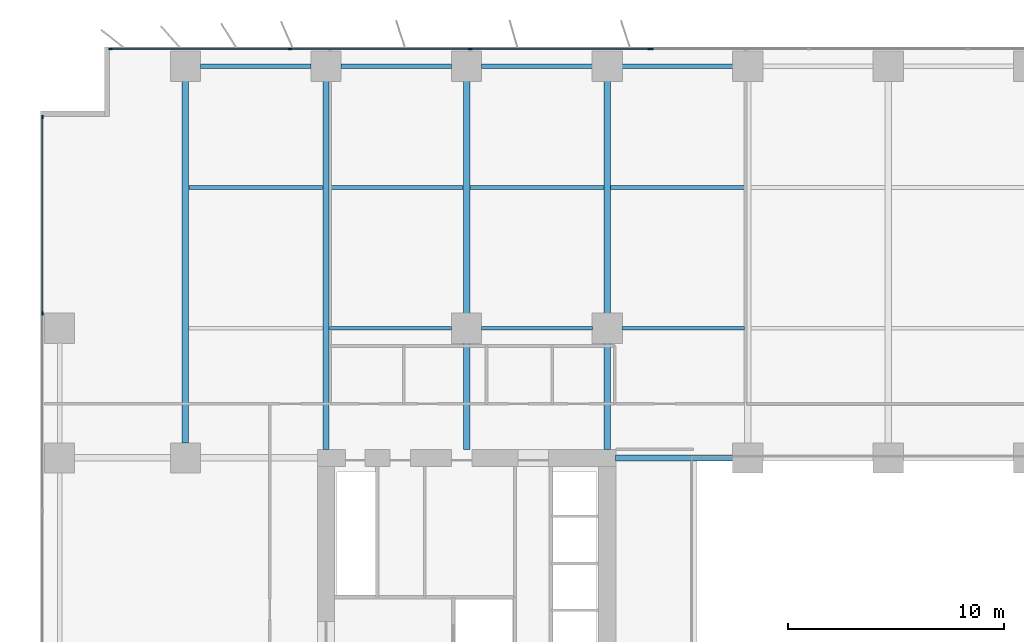
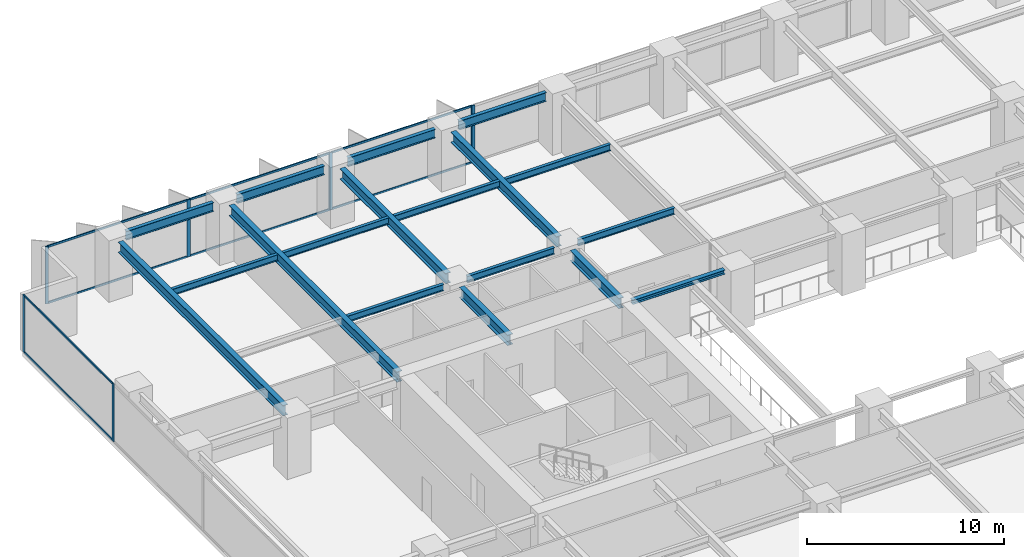
# One storey, part 7 of 20: 18 beams, 15 members, 3 elements without a shape of their own.
"""IFC4 building model written with IfcOpenShell, lengths in metres."""

import ifcopenshell
import ifcopenshell.guid

model = None  # the IFC model being written
_history = None  # IfcOwnerHistory: only IFC2X3 demands one
_inside = {}  # id of a spatial element -> (the spatial element, [elements in it])
_under = {}  # id of a project, library or spatial element -> (it, [spatial elements below it])
_declared = {}  # id of a project -> (the project, [libraries it declares])
_typed = {}  # id of a type object -> (the type object, [elements of that type])
_made_of = {}  # id of a material, layer set ... -> (it, [elements and type objects made of it])


def new_model(schema):
    """Start an empty IFC model of exactly this schema.

    Asked for "IFC4X3", IfcOpenShell would pick the latest addendum, in which some entities
    have other attributes; the version numbers below select the first issue.
    IFC2X3 requires an IfcOwnerHistory on every rooted entity: one is made here for all.
    """
    global model, _history
    if schema == "IFC4X3":
        model = ifcopenshell.file(schema_version=(4, 3, 0, 0))
    else:
        model = ifcopenshell.file(schema=schema)
    _inside.clear()
    _under.clear()
    _declared.clear()
    _typed.clear()
    _made_of.clear()
    _history = None
    if model.schema == "IFC2X3":
        org = make("IfcOrganization", Name="unknown")
        user = make(
            "IfcPersonAndOrganization",
            ThePerson=make("IfcPerson", FamilyName="unknown"),
            TheOrganization=org,
        )
        app = make(
            "IfcApplication",
            ApplicationDeveloper=org,
            Version="unknown",
            ApplicationFullName="unknown",
            ApplicationIdentifier="unknown",
        )
        _history = make(
            "IfcOwnerHistory",
            OwningUser=user,
            OwningApplication=app,
            ChangeAction="ADDED",
            CreationDate=0,
        )
    return model


def make(cls, **values):
    """One entity of the class cls with the attributes given. An attribute that is None is left unset."""
    return model.create_entity(
        cls, **{name: value for name, value in values.items() if value is not None}
    )


def rooted(cls, **values):
    """An entity with a GlobalId (a new one), such as an element, a storey or a relation."""
    return make(cls, GlobalId=ifcopenshell.guid.new(), OwnerHistory=_history, **values)


def si_unit(unit_type, name, prefix=None):
    """IfcSIUnit, for example si_unit("LENGTHUNIT", "METRE", prefix="MILLI")."""
    return make("IfcSIUnit", UnitType=unit_type, Prefix=prefix, Name=name)


def assignment(units):
    """IfcUnitAssignment: the units of a project."""
    return None if units is None else make("IfcUnitAssignment", Units=units)


def point(xyz):
    """IfcCartesianPoint."""
    return None if xyz is None else make("IfcCartesianPoint", Coordinates=xyz)


def direction(xyz):
    """IfcDirection."""
    return None if xyz is None else make("IfcDirection", DirectionRatios=xyz)


def frame(location, z_axis=None, x_axis=None):
    """IfcAxis2Placement3D, a coordinate frame: its origin and axes. An axis left out is left unset."""
    return make(
        "IfcAxis2Placement3D",
        Location=point(location),
        Axis=direction(z_axis),
        RefDirection=direction(x_axis),
    )


def frame_2d(location, x_axis=None):
    """IfcAxis2Placement2D, a coordinate frame in the plane: its origin and x axis."""
    return make(
        "IfcAxis2Placement2D", Location=point(location), RefDirection=direction(x_axis)
    )


def origin():
    """The frame at (0, 0, 0) with its axes left unset."""
    return frame((0.0, 0.0, 0.0))


def origin_2d():
    """The frame at (0, 0) in the plane with its x axis left unset."""
    return frame_2d((0.0, 0.0))


def place(relative_to, where):
    """IfcLocalPlacement: puts the frame where relative to a parent placement (None: the world)."""
    return make(
        "IfcLocalPlacement", PlacementRelTo=relative_to, RelativePlacement=where
    )


def context(
    kind, dimensions, precision=None, world=None, true_north=None, identifier=None
):
    """IfcGeometricRepresentationContext, for example the 3D "Model" context."""
    return make(
        "IfcGeometricRepresentationContext",
        ContextIdentifier=identifier,
        ContextType=kind,
        CoordinateSpaceDimension=dimensions,
        Precision=precision,
        WorldCoordinateSystem=world,
        TrueNorth=true_north,
    )


def subcontext(parent, identifier, kind, view, scale=None):
    """IfcGeometricRepresentationSubContext, for example "Body" below "Model"."""
    return make(
        "IfcGeometricRepresentationSubContext",
        ContextIdentifier=identifier,
        ContextType=kind,
        ParentContext=parent,
        TargetScale=scale,
        TargetView=view,
    )


def project(units=None, contexts=None):
    """IfcProject with its units and contexts."""
    return rooted(
        "IfcProject",
        Name="project",
        RepresentationContexts=contexts,
        UnitsInContext=assignment(units),
    )


def spatial(cls, under=None, at=None, **own):
    """A site, building, storey or space (cls), placed at a placement, below another one or the project."""
    s = rooted(cls, ObjectPlacement=at, **own)
    if under is not None:
        _under.setdefault(under.id(), (under, []))[1].append(s)
    return s


def profile(cls, at=None, kind="AREA", **sizes):
    """A parametric profile (cls). Its sizes go by their IFC names, for example OverallWidth=200.0."""
    return make(cls, ProfileType=kind, Position=at, **sizes)


def rectangle(**sizes):
    """IfcRectangleProfileDef."""
    return profile("IfcRectangleProfileDef", **sizes)


def i_section(**sizes):
    """IfcIShapeProfileDef."""
    return profile("IfcIShapeProfileDef", **sizes)


def extrude(swept, where, along, depth):
    """IfcExtrudedAreaSolid: the profile swept, set in the frame where, extruded along a direction by depth."""
    return make(
        "IfcExtrudedAreaSolid",
        SweptArea=swept,
        Position=where,
        ExtrudedDirection=direction(along),
        Depth=depth,
    )


def shape(context_of_items, identifier, shape_type, items):
    """IfcShapeRepresentation: the items that make up one representation, for example the "Body"."""
    return make(
        "IfcShapeRepresentation",
        ContextOfItems=context_of_items,
        RepresentationIdentifier=identifier,
        RepresentationType=shape_type,
        Items=items,
    )


def material(Name=None, Category=None):
    """IfcMaterial."""
    return make("IfcMaterial", Name=Name, Category=Category)


def layer(
    of_material, thickness, ventilated=None, Name=None, Category=None, Priority=None
):
    """IfcMaterialLayer: one layer of a wall or slab, of a material (None: an air gap)."""
    return make(
        "IfcMaterialLayer",
        Material=of_material,
        LayerThickness=thickness,
        IsVentilated=ventilated,
        Name=Name,
        Category=Category,
        Priority=Priority,
    )


def layer_set(layers, Name=None):
    """IfcMaterialLayerSet."""
    return make("IfcMaterialLayerSet", MaterialLayers=layers, LayerSetName=Name)


def material_profile(
    of_material, cross_section, Name=None, Category=None, Priority=None
):
    """IfcMaterialProfile: a cross section and its material."""
    return make(
        "IfcMaterialProfile",
        Name=Name,
        Material=of_material,
        Profile=cross_section,
        Priority=Priority,
        Category=Category,
    )


def profile_set(profiles, Name=None, composite=None):
    """IfcMaterialProfileSet."""
    return make(
        "IfcMaterialProfileSet",
        Name=Name,
        MaterialProfiles=profiles,
        CompositeProfile=composite,
    )


def made_of(thing, what):
    """Note that an element or type object is made of a material, layer set ...; save() writes the relation."""
    if what is not None:
        _made_of.setdefault(what.id(), (what, []))[1].append(thing)
    return thing


def type_object(cls, material=None, **own):
    """A type object (cls), such as IfcWallType, which elements share."""
    return made_of(rooted(cls, **own), material)


def element(
    cls,
    number,
    at=None,
    inside=None,
    cuts=None,
    type_object=None,
    material=None,
    context=None,
    identifier="Body",
    shape_type=None,
    held_by="IfcProductDefinitionShape",
    body=None,
    shapes=None,
    **own,
):
    """One element of the class cls, such as IfcWall. Its Tag is "e" and its number.

    at: its placement. inside: the storey or other place that contains it. cuts: it is an
    opening in that element (IfcRelVoidsElement). A single representation is given by context,
    identifier, shape_type and body (its items); several are given by shapes. held_by: the class
    of the entity that holds the representations. save() writes the other relations.
    """
    e = rooted(cls, Tag="e%d" % number, ObjectPlacement=at, **own)
    if body is not None:
        shapes = [shape(context, identifier, shape_type, body)]
    if shapes is not None:
        e.Representation = make(held_by, Representations=shapes)
    if inside is not None:
        _inside.setdefault(inside.id(), (inside, []))[1].append(e)
    if cuts is not None:
        rooted(
            "IfcRelVoidsElement", RelatingBuildingElement=cuts, RelatedOpeningElement=e
        )
    if type_object is not None:
        _typed.setdefault(type_object.id(), (type_object, []))[1].append(e)
    return made_of(e, material)


def aggregate(whole, parts):
    """IfcRelAggregates: a whole, such as a stair, and the parts it consists of."""
    return rooted("IfcRelAggregates", RelatingObject=whole, RelatedObjects=parts)


def save(model, path):
    """Write the relations noted so far, then the file.

    IfcRelAggregates (storeys below a building ...), IfcRelContainedInSpatialStructure (elements
    in a storey), IfcRelDefinesByType, IfcRelAssociatesMaterial and IfcRelDeclares: one each for
    every whole, place, type object, material and project.
    """
    for whole, parts in _under.values():
        aggregate(whole, parts)
    for where, things in _inside.values():
        rooted(
            "IfcRelContainedInSpatialStructure",
            RelatedElements=things,
            RelatingStructure=where,
        )
    for kind, things in _typed.values():
        rooted("IfcRelDefinesByType", RelatedObjects=things, RelatingType=kind)
    for what, things in _made_of.values():
        rooted("IfcRelAssociatesMaterial", RelatedObjects=things, RelatingMaterial=what)
    for by, libraries in _declared.values():
        rooted("IfcRelDeclares", RelatingContext=by, RelatedDefinitions=libraries)
    model.write(path)


model = new_model("IFC4")

# Units and contexts
model_context = context("Model", 3, precision=1e-05, world=origin(), true_north=direction((0.0, 1.0)))
body_context = subcontext(model_context, "Body", "Model", "MODEL_VIEW")
ifc_project = project(units=[si_unit("LENGTHUNIT", "METRE"), si_unit("AREAUNIT", "SQUARE_METRE"), si_unit("VOLUMEUNIT", "CUBIC_METRE"), si_unit("PLANEANGLEUNIT", "RADIAN"), si_unit("MASSUNIT", "GRAM", prefix="KILO")], contexts=[model_context])

# Site, building, storey
site_placement = place(None, origin())
site = spatial("IfcSite", under=ifc_project, at=site_placement, CompositionType="ELEMENT")
building_placement = place(site_placement, origin())
building = spatial("IfcBuilding", under=site, at=building_placement, Name="Putna Gate Headquarters", CompositionType="ELEMENT")
storey_placement = place(building_placement, frame((0.0, 0.0, 35.39990234375)))
storey = spatial("IfcBuildingStorey", under=building, at=storey_placement, Name="L07", CompositionType="ELEMENT", Elevation=35.39990234375)

# Beams
ifc_material_1 = material(Name="Steel S355J2", Category="steel")
ifc_material_profile_1 = material_profile(ifc_material_1, i_section(OverallWidth=0.260009765625, OverallDepth=0.260009765625, WebThickness=0.010009765625, FlangeThickness=0.017578125, at=origin_2d()), Name="Steel S355J2")
ifc_profile_set_1 = profile_set([ifc_material_profile_1], Name="Steel S355J2")
beam_type_1 = type_object("IfcBeamType", Name="BM-ATRIUM-HEB260", PredefinedType="BEAM", material=ifc_profile_set_1)
beam_1_placement = place(storey_placement, frame((26.385009765625, 33.0, 3.420166015625), z_axis=(1.0, 0.0, 0.0), x_axis=(0.0, 1.0, 0.0)))
element("IfcBeam", 1, at=beam_1_placement, inside=storey, type_object=beam_type_1, Name="L07 Atrium Edge Beam AN1", PredefinedType="BEAM", context=body_context, shape_type="SweptSolid", body=[
    extrude(i_section(OverallWidth=0.260009765625, OverallDepth=0.260009765625, WebThickness=0.010009765625, FlangeThickness=0.017578125, at=origin_2d()), origin(), (0.0, 0.0, 1.0), 5.427001953125),
])
ifc_material_profile_2 = material_profile(ifc_material_1, i_section(OverallWidth=0.300048828125, OverallDepth=0.64990234375, WebThickness=0.01611328125, FlangeThickness=0.031005859375, at=origin_2d()), Name="Steel S355J2")
ifc_profile_set_2 = profile_set([ifc_material_profile_2], Name="Steel S355J2")
beam_type_2 = type_object("IfcBeamType", Name="BM-GIRD-Z1-HEB650", PredefinedType="USERDEFINED", material=ifc_profile_set_2)
beam_2_placement = place(storey_placement, frame((6.5, 33.68798828125, 3.22509765625), z_axis=(0.0, 1.0, 0.0), x_axis=(-1.0, 0.0, 0.0)))
element("IfcBeam", 2, at=beam_2_placement, inside=storey, type_object=beam_type_2, Name="L07 North Primary Girder X6", ObjectType="GIRDER", PredefinedType="USERDEFINED", context=body_context, shape_type="SweptSolid", body=[
    extrude(i_section(OverallWidth=0.300048828125, OverallDepth=0.64990234375, WebThickness=0.01611328125, FlangeThickness=0.031005859375, at=origin_2d()), origin(), (0.0, 0.0, 1.0), 16.743896484375),
])
beam_3_placement = place(storey_placement, frame((13.0, 33.385009765625, 3.22509765625), z_axis=(0.0, 1.0, 0.0), x_axis=(-1.0, 0.0, 0.0)))
element("IfcBeam", 3, at=beam_3_placement, inside=storey, type_object=beam_type_2, Name="L07 North Primary Girder X13", ObjectType="GIRDER", PredefinedType="USERDEFINED", context=body_context, shape_type="SweptSolid", body=[
    extrude(i_section(OverallWidth=0.300048828125, OverallDepth=0.64990234375, WebThickness=0.01611328125, FlangeThickness=0.031005859375, at=origin_2d()), origin(), (0.0, 0.0, 1.0), 17.046875),
])
beam_4_placement = place(storey_placement, frame((19.5, 33.385009765625, 3.22509765625), z_axis=(0.0, 1.0, 0.0), x_axis=(-1.0, 0.0, 0.0)))
element("IfcBeam", 4, at=beam_4_placement, inside=storey, type_object=beam_type_2, Name="L07 North Primary Girder X19-1", ObjectType="GIRDER", PredefinedType="USERDEFINED", context=body_context, shape_type="SweptSolid", body=[
    extrude(i_section(OverallWidth=0.300048828125, OverallDepth=0.64990234375, WebThickness=0.01611328125, FlangeThickness=0.031005859375, at=origin_2d()), origin(), (0.0, 0.0, 1.0), 4.927001953125),
])
beam_5_placement = place(storey_placement, frame((19.5, 39.68798828125, 3.22509765625), z_axis=(0.0, 1.0, 0.0), x_axis=(-1.0, 0.0, 0.0)))
element("IfcBeam", 5, at=beam_5_placement, inside=storey, type_object=beam_type_2, Name="L07 North Primary Girder X19-2", ObjectType="GIRDER", PredefinedType="USERDEFINED", context=body_context, shape_type="SweptSolid", body=[
    extrude(i_section(OverallWidth=0.300048828125, OverallDepth=0.64990234375, WebThickness=0.01611328125, FlangeThickness=0.031005859375, at=origin_2d()), origin(), (0.0, 0.0, 1.0), 10.743896484375),
])
beam_6_placement = place(storey_placement, frame((26.0, 33.385009765625, 3.22509765625), z_axis=(0.0, 1.0, 0.0), x_axis=(-1.0, 0.0, 0.0)))
element("IfcBeam", 6, at=beam_6_placement, inside=storey, type_object=beam_type_2, Name="L07 North Primary Girder X26-1", ObjectType="GIRDER", PredefinedType="USERDEFINED", context=body_context, shape_type="SweptSolid", body=[
    extrude(i_section(OverallWidth=0.300048828125, OverallDepth=0.64990234375, WebThickness=0.01611328125, FlangeThickness=0.031005859375, at=origin_2d()), origin(), (0.0, 0.0, 1.0), 4.927001953125),
])
beam_7_placement = place(storey_placement, frame((26.0, 39.68798828125, 3.22509765625), z_axis=(0.0, 1.0, 0.0), x_axis=(-1.0, 0.0, 0.0)))
element("IfcBeam", 7, at=beam_7_placement, inside=storey, type_object=beam_type_2, Name="L07 North Primary Girder X26-2", ObjectType="GIRDER", PredefinedType="USERDEFINED", context=body_context, shape_type="SweptSolid", body=[
    extrude(i_section(OverallWidth=0.300048828125, OverallDepth=0.64990234375, WebThickness=0.01611328125, FlangeThickness=0.031005859375, at=origin_2d()), origin(), (0.0, 0.0, 1.0), 10.743896484375),
])
ifc_material_profile_3 = material_profile(ifc_material_1, i_section(OverallWidth=0.179931640625, OverallDepth=0.39990234375, WebThickness=0.008544921875, FlangeThickness=0.013427734375, at=origin_2d()), Name="Steel S355J2")
ifc_profile_set_3 = profile_set([ifc_material_profile_3], Name="Steel S355J2")
beam_type_3 = type_object("IfcBeamType", Name="BM-SEC-Z1-IPE400", PredefinedType="BEAM", material=ifc_profile_set_3)
beam_8_placement = place(storey_placement, frame((6.654052734375, 45.5, 3.35009765625), z_axis=(1.0, 0.0, 0.0), x_axis=(0.0, 1.0, 0.0)))
element("IfcBeam", 8, at=beam_8_placement, inside=storey, type_object=beam_type_3, Name="L07 North Secondary Beam 1", PredefinedType="BEAM", context=body_context, shape_type="SweptSolid", body=[
    extrude(i_section(OverallWidth=0.179931640625, OverallDepth=0.39990234375, WebThickness=0.008544921875, FlangeThickness=0.013427734375, at=origin_2d()), origin(), (0.0, 0.0, 1.0), 6.19189453125),
])
beam_9_placement = place(storey_placement, frame((13.154052734375, 39.0, 3.35009765625), z_axis=(1.0, 0.0, 0.0), x_axis=(0.0, 1.0, 0.0)))
element("IfcBeam", 9, at=beam_9_placement, inside=storey, type_object=beam_type_3, Name="L07 North Secondary Beam 2", PredefinedType="BEAM", context=body_context, shape_type="SweptSolid", body=[
    extrude(i_section(OverallWidth=0.179931640625, OverallDepth=0.39990234375, WebThickness=0.008544921875, FlangeThickness=0.013427734375, at=origin_2d()), origin(), (0.0, 0.0, 1.0), 5.657958984375),
])
beam_10_placement = place(storey_placement, frame((13.154052734375, 45.5, 3.35009765625), z_axis=(1.0, 0.0, 0.0), x_axis=(0.0, 1.0, 0.0)))
element("IfcBeam", 10, at=beam_10_placement, inside=storey, type_object=beam_type_3, Name="L07 North Secondary Beam 2", PredefinedType="BEAM", context=body_context, shape_type="SweptSolid", body=[
    extrude(i_section(OverallWidth=0.179931640625, OverallDepth=0.39990234375, WebThickness=0.008544921875, FlangeThickness=0.013427734375, at=origin_2d()), origin(), (0.0, 0.0, 1.0), 6.19189453125),
])
beam_11_placement = place(storey_placement, frame((20.18798828125, 39.0, 3.35009765625), z_axis=(1.0, 0.0, 0.0), x_axis=(0.0, 1.0, 0.0)))
element("IfcBeam", 11, at=beam_11_placement, inside=storey, type_object=beam_type_3, Name="L07 North Secondary Beam 3", PredefinedType="BEAM", context=body_context, shape_type="SweptSolid", body=[
    extrude(i_section(OverallWidth=0.179931640625, OverallDepth=0.39990234375, WebThickness=0.008544921875, FlangeThickness=0.013427734375, at=origin_2d()), origin(), (0.0, 0.0, 1.0), 5.1240234375),
])
beam_12_placement = place(storey_placement, frame((19.654052734375, 45.5, 3.35009765625), z_axis=(1.0, 0.0, 0.0), x_axis=(0.0, 1.0, 0.0)))
element("IfcBeam", 12, at=beam_12_placement, inside=storey, type_object=beam_type_3, Name="L07 North Secondary Beam 3", PredefinedType="BEAM", context=body_context, shape_type="SweptSolid", body=[
    extrude(i_section(OverallWidth=0.179931640625, OverallDepth=0.39990234375, WebThickness=0.008544921875, FlangeThickness=0.013427734375, at=origin_2d()), origin(), (0.0, 0.0, 1.0), 6.19189453125),
])
beam_13_placement = place(storey_placement, frame((26.68798828125, 39.0, 3.35009765625), z_axis=(1.0, 0.0, 0.0), x_axis=(0.0, 1.0, 0.0)))
element("IfcBeam", 13, at=beam_13_placement, inside=storey, type_object=beam_type_3, Name="L07 North Secondary Beam 4", PredefinedType="BEAM", context=body_context, shape_type="SweptSolid", body=[
    extrude(i_section(OverallWidth=0.179931640625, OverallDepth=0.39990234375, WebThickness=0.008544921875, FlangeThickness=0.013427734375, at=origin_2d()), origin(), (0.0, 0.0, 1.0), 5.657958984375),
])
beam_14_placement = place(storey_placement, frame((26.154052734375, 45.5, 3.35009765625), z_axis=(1.0, 0.0, 0.0), x_axis=(0.0, 1.0, 0.0)))
element("IfcBeam", 14, at=beam_14_placement, inside=storey, type_object=beam_type_3, Name="L07 North Secondary Beam 4", PredefinedType="BEAM", context=body_context, shape_type="SweptSolid", body=[
    extrude(i_section(OverallWidth=0.179931640625, OverallDepth=0.39990234375, WebThickness=0.008544921875, FlangeThickness=0.013427734375, at=origin_2d()), origin(), (0.0, 0.0, 1.0), 6.19189453125),
])
ifc_material_profile_4 = material_profile(ifc_material_1, i_section(OverallWidth=0.2099609375, OverallDepth=0.550048828125, WebThickness=0.010986328125, FlangeThickness=0.01708984375, at=origin_2d()), Name="Steel S355J2")
ifc_profile_set_4 = profile_set([ifc_material_profile_4], Name="Steel S355J2")
beam_type_4 = type_object("IfcBeamType", Name="BM-SPAN-Z1-IPE550", PredefinedType="SPANDREL", material=ifc_profile_set_4)
for number, where, z_axis, x_axis, name in (
    (15, (7.18798828125, 51.1201171875, 3.275146484375), (1.0, 0.0, 0.0), (0.0, 1.0, 0.0), "L07 N Perimeter Spandrel 1"),
    (16, (13.68798828125, 51.1201171875, 3.275146484375), (1.0, 0.0, 0.0), (0.0, 1.0, 0.0), "L07 N Perimeter Spandrel 2"),
    (17, (20.18798828125, 51.1201171875, 3.275146484375), (1.0, 0.0, 0.0), (0.0, 1.0, 0.0), "L07 N Perimeter Spandrel 3"),
    (18, (26.68798828125, 51.1201171875, 3.275146484375), (1.0, 0.0, 0.0), (0.0, 1.0, 0.0), "L07 N Perimeter Spandrel 4"),
):
    element("IfcBeam", number, at=place(storey_placement, frame(where, z_axis=z_axis, x_axis=x_axis)), inside=storey, type_object=beam_type_4, Name=name, PredefinedType="SPANDREL", context=body_context, shape_type="SweptSolid", body=[
        extrude(i_section(OverallWidth=0.2099609375, OverallDepth=0.550048828125, WebThickness=0.010986328125, FlangeThickness=0.01708984375, at=origin_2d()), origin(), (0.0, 0.0, 1.0), 5.1240234375),
    ])

# Curtain wall, members
ifc_material_2 = material(Name="Anodised bronze aluminium curtain wall", Category="aluminium")
ifc_layer_1 = layer(ifc_material_2, 0.179931640625)
ifc_layer_set_1 = layer_set([ifc_layer_1], Name="Anodised bronze aluminium curtain wall")
curtain_wall_type_1 = type_object("IfcCurtainWallType", Name="CW-SYS-Z1", PredefinedType="USERDEFINED", material=ifc_layer_set_1)
curtain_wall_1_placement = place(storey_placement, origin())
curtain_wall_1 = element("IfcCurtainWall", 19, at=curtain_wall_1_placement, inside=storey, type_object=curtain_wall_type_1, Name="L07 North West Curtain Wall", ObjectType="STICK CURTAIN WALL", PredefinedType="USERDEFINED")
ifc_material_3 = material(Name="Anodised bronze aluminium EN AW-6060", Category="aluminium")
ifc_material_profile_5 = material_profile(ifc_material_3, rectangle(XDim=0.070068359375, YDim=0.179931640625, at=origin_2d()), Name="Anodised bronze aluminium EN AW-6060")
ifc_profile_set_5 = profile_set([ifc_material_profile_5], Name="Anodised bronze aluminium EN AW-6060")
member_type_1 = type_object("IfcMemberType", Name="MULL-CWM-1", PredefinedType="MULLION", material=ifc_profile_set_5)
member_1_placement = place(storey_placement, frame((3.034912109375, 51.919921875, 0.0), z_axis=(0.0, 0.0, 1.0), x_axis=(0.0, 1.0, 0.0)))
member_1 = element("IfcMember", 20, at=member_1_placement, type_object=member_type_1, Name="CWS-1 mullion 1", PredefinedType="MULLION", context=body_context, shape_type="SweptSolid", body=[
    extrude(rectangle(XDim=0.070068359375, YDim=0.179931640625, at=origin_2d()), origin(), (0.0, 0.0, 1.0), 3.550048828125),
])
member_2_placement = place(storey_placement, frame((11.333251953125, 51.919921875, 0.0), z_axis=(0.0, 0.0, 1.0), x_axis=(0.0, 1.0, 0.0)))
member_2 = element("IfcMember", 21, at=member_2_placement, type_object=member_type_1, Name="CWS-1 mullion 2", PredefinedType="MULLION", context=body_context, shape_type="SweptSolid", body=[
    extrude(rectangle(XDim=0.070068359375, YDim=0.179931640625, at=origin_2d()), origin(), (0.0, 0.0, 1.0), 3.550048828125),
])
member_3_placement = place(storey_placement, frame((19.666748046875, 51.919921875, 0.0), z_axis=(0.0, 0.0, 1.0), x_axis=(0.0, 1.0, 0.0)))
member_3 = element("IfcMember", 22, at=member_3_placement, type_object=member_type_1, Name="CWS-1 mullion 3", PredefinedType="MULLION", context=body_context, shape_type="SweptSolid", body=[
    extrude(rectangle(XDim=0.070068359375, YDim=0.179931640625, at=origin_2d()), origin(), (0.0, 0.0, 1.0), 3.550048828125),
])
member_4_placement = place(storey_placement, frame((27.965087890625, 51.919921875, 0.0), z_axis=(0.0, 0.0, 1.0), x_axis=(0.0, 1.0, 0.0)))
member_4 = element("IfcMember", 23, at=member_4_placement, type_object=member_type_1, Name="CWS-1 mullion 4", PredefinedType="MULLION", context=body_context, shape_type="SweptSolid", body=[
    extrude(rectangle(XDim=0.070068359375, YDim=0.179931640625, at=origin_2d()), origin(), (0.0, 0.0, 1.0), 3.550048828125),
])

curtain_wall_2_placement = place(storey_placement, origin())
curtain_wall_2 = element("IfcCurtainWall", 24, at=curtain_wall_2_placement, inside=storey, type_object=curtain_wall_type_1, Name="L07 West Curtain Wall", ObjectType="STICK CURTAIN WALL", PredefinedType="USERDEFINED")
member_5_placement = place(storey_placement, frame((-0.1201171875, 39.679931640625, 0.0), z_axis=(0.0, 0.0, 1.0), x_axis=(-1.0, 0.0, 0.0)))
member_5 = element("IfcMember", 25, at=member_5_placement, type_object=member_type_1, Name="CWS-1 mullion 5", PredefinedType="MULLION", context=body_context, shape_type="SweptSolid", body=[
    extrude(rectangle(XDim=0.070068359375, YDim=0.179931640625, at=origin_2d()), origin(), (0.0, 0.0, 1.0), 3.550048828125),
])
member_6_placement = place(storey_placement, frame((-0.1201171875, 48.764892578125, 0.0), z_axis=(0.0, 0.0, 1.0), x_axis=(-1.0, 0.0, 0.0)))
member_6 = element("IfcMember", 26, at=member_6_placement, type_object=member_type_1, Name="CWS-1 mullion 6", PredefinedType="MULLION", context=body_context, shape_type="SweptSolid", body=[
    extrude(rectangle(XDim=0.070068359375, YDim=0.179931640625, at=origin_2d()), origin(), (0.0, 0.0, 1.0), 3.550048828125),
])

# Curtain wall, member
ifc_layer_2 = layer(ifc_material_2, 0.179931640625)
ifc_layer_set_2 = layer_set([ifc_layer_2], Name="Anodised bronze aluminium curtain wall")
curtain_wall_type_2 = type_object("IfcCurtainWallType", Name="CW-SYS-ATR", PredefinedType="USERDEFINED", material=ifc_layer_set_2)
curtain_wall_3_placement = place(storey_placement, origin())
curtain_wall_3 = element("IfcCurtainWall", 27, at=curtain_wall_3_placement, inside=storey, type_object=curtain_wall_type_2, Name="L07 North Atrium Clear Glazing", ObjectType="ATRIUM GLAZING", PredefinedType="USERDEFINED")
ifc_material_profile_6 = material_profile(ifc_material_3, rectangle(XDim=0.070068359375, YDim=0.179931640625, at=origin_2d()), Name="Anodised bronze aluminium EN AW-6060")
ifc_profile_set_6 = profile_set([ifc_material_profile_6], Name="Anodised bronze aluminium EN AW-6060")
member_type_2 = type_object("IfcMemberType", Name="MULL-CWM-AT", PredefinedType="MULLION", material=ifc_profile_set_6)
member_7_placement = place(storey_placement, frame((28.034912109375, 51.919921875, 0.0), z_axis=(0.0, 0.0, 1.0), x_axis=(0.0, 1.0, 0.0)))
member_7 = element("IfcMember", 28, at=member_7_placement, type_object=member_type_2, Name="CWS-AT mullion 1", PredefinedType="MULLION", context=body_context, shape_type="SweptSolid", body=[
    extrude(rectangle(XDim=0.070068359375, YDim=0.179931640625, at=origin_2d()), origin(), (0.0, 0.0, 1.0), 3.550048828125),
])
aggregate(curtain_wall_3, [member_7])

# Member
ifc_material_profile_7 = material_profile(ifc_material_3, rectangle(XDim=0.06494140625, YDim=0.1201171875, at=origin_2d()), Name="Anodised bronze aluminium EN AW-6060")
ifc_profile_set_7 = profile_set([ifc_material_profile_7], Name="Anodised bronze aluminium EN AW-6060")
member_type_3 = type_object("IfcMemberType", Name="TRAN-CWT-1", PredefinedType="USERDEFINED", material=ifc_profile_set_7)
member_8_placement = place(storey_placement, frame((3.070068359375, 51.919921875, 0.03271484375), z_axis=(1.0, 0.0, 0.0), x_axis=(0.0, 1.0, 0.0)))
member_8 = element("IfcMember", 29, at=member_8_placement, type_object=member_type_3, Name="CWS-1 transom 1.1", ObjectType="TRANSOM", PredefinedType="USERDEFINED", context=body_context, shape_type="SweptSolid", body=[
    extrude(rectangle(XDim=0.06494140625, YDim=0.1201171875, at=origin_2d()), origin(), (0.0, 0.0, 1.0), 8.228271484375),
])

member_9_placement = place(storey_placement, frame((3.070068359375, 51.919921875, 3.517578125), z_axis=(1.0, 0.0, 0.0), x_axis=(0.0, 1.0, 0.0)))
member_9 = element("IfcMember", 30, at=member_9_placement, type_object=member_type_3, Name="CWS-1 transom 1.2", ObjectType="TRANSOM", PredefinedType="USERDEFINED", context=body_context, shape_type="SweptSolid", body=[
    extrude(rectangle(XDim=0.06494140625, YDim=0.1201171875, at=origin_2d()), origin(), (0.0, 0.0, 1.0), 8.228271484375),
])

member_10_placement = place(storey_placement, frame((11.368408203125, 51.919921875, 0.03271484375), z_axis=(1.0, 0.0, 0.0), x_axis=(0.0, 1.0, 0.0)))
member_10 = element("IfcMember", 31, at=member_10_placement, type_object=member_type_3, Name="CWS-1 transom 2.1", ObjectType="TRANSOM", PredefinedType="USERDEFINED", context=body_context, shape_type="SweptSolid", body=[
    extrude(rectangle(XDim=0.06494140625, YDim=0.1201171875, at=origin_2d()), origin(), (0.0, 0.0, 1.0), 8.26318359375),
])

member_11_placement = place(storey_placement, frame((11.368408203125, 51.919921875, 3.517578125), z_axis=(1.0, 0.0, 0.0), x_axis=(0.0, 1.0, 0.0)))
member_11 = element("IfcMember", 32, at=member_11_placement, type_object=member_type_3, Name="CWS-1 transom 2.2", ObjectType="TRANSOM", PredefinedType="USERDEFINED", context=body_context, shape_type="SweptSolid", body=[
    extrude(rectangle(XDim=0.06494140625, YDim=0.1201171875, at=origin_2d()), origin(), (0.0, 0.0, 1.0), 8.26318359375),
])

member_12_placement = place(storey_placement, frame((19.70166015625, 51.919921875, 0.03271484375), z_axis=(1.0, 0.0, 0.0), x_axis=(0.0, 1.0, 0.0)))
member_12 = element("IfcMember", 33, at=member_12_placement, type_object=member_type_3, Name="CWS-1 transom 3.1", ObjectType="TRANSOM", PredefinedType="USERDEFINED", context=body_context, shape_type="SweptSolid", body=[
    extrude(rectangle(XDim=0.06494140625, YDim=0.1201171875, at=origin_2d()), origin(), (0.0, 0.0, 1.0), 8.228271484375),
])

member_13_placement = place(storey_placement, frame((19.70166015625, 51.919921875, 3.517578125), z_axis=(1.0, 0.0, 0.0), x_axis=(0.0, 1.0, 0.0)))
member_13 = element("IfcMember", 34, at=member_13_placement, type_object=member_type_3, Name="CWS-1 transom 3.2", ObjectType="TRANSOM", PredefinedType="USERDEFINED", context=body_context, shape_type="SweptSolid", body=[
    extrude(rectangle(XDim=0.06494140625, YDim=0.1201171875, at=origin_2d()), origin(), (0.0, 0.0, 1.0), 8.228271484375),
])

aggregate(curtain_wall_1, [member_1, member_2, member_3, member_4, member_8, member_9, member_10, member_11, member_12, member_13])

member_14_placement = place(storey_placement, frame((-0.1201171875, 39.715087890625, 0.03271484375), z_axis=(0.0, 1.0, 0.0), x_axis=(-1.0, 0.0, 0.0)))
member_14 = element("IfcMember", 35, at=member_14_placement, type_object=member_type_3, Name="CWS-1 transom 5.1", ObjectType="TRANSOM", PredefinedType="USERDEFINED", context=body_context, shape_type="SweptSolid", body=[
    extrude(rectangle(XDim=0.06494140625, YDim=0.1201171875, at=origin_2d()), origin(), (0.0, 0.0, 1.0), 9.014892578125),
])

member_15_placement = place(storey_placement, frame((-0.1201171875, 39.715087890625, 3.517578125), z_axis=(0.0, 1.0, 0.0), x_axis=(-1.0, 0.0, 0.0)))
member_15 = element("IfcMember", 36, at=member_15_placement, type_object=member_type_3, Name="CWS-1 transom 5.2", ObjectType="TRANSOM", PredefinedType="USERDEFINED", context=body_context, shape_type="SweptSolid", body=[
    extrude(rectangle(XDim=0.06494140625, YDim=0.1201171875, at=origin_2d()), origin(), (0.0, 0.0, 1.0), 9.014892578125),
])

aggregate(curtain_wall_2, [member_5, member_6, member_14, member_15])

save(model, "model.ifc")
